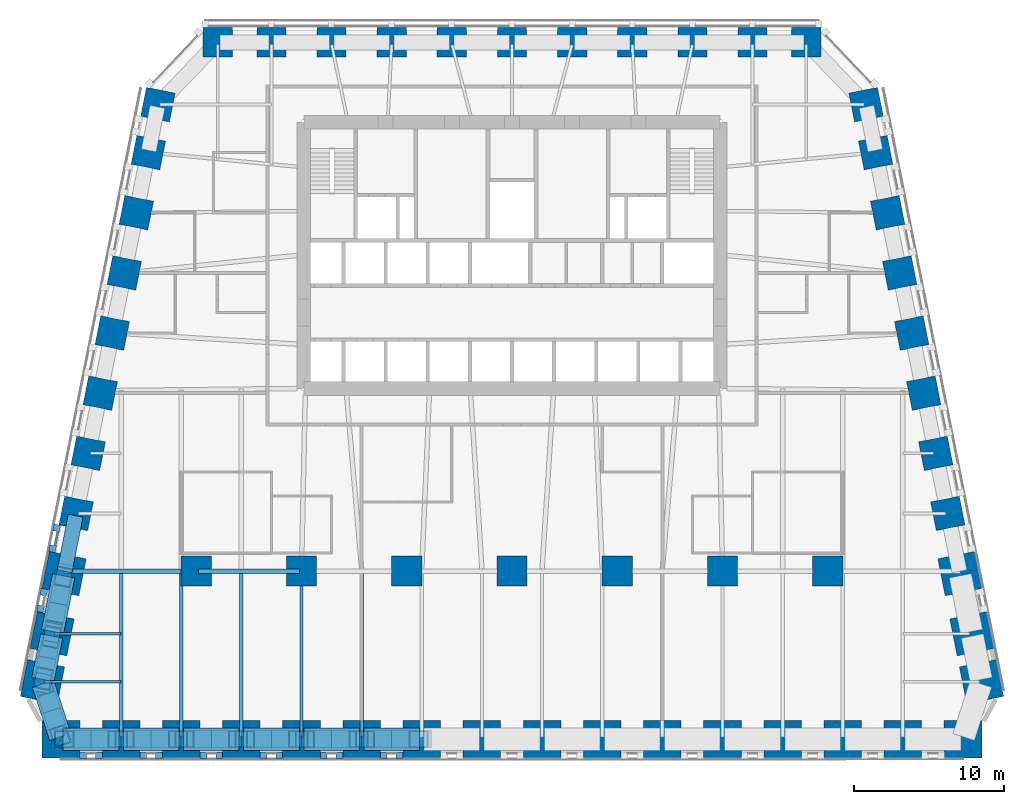
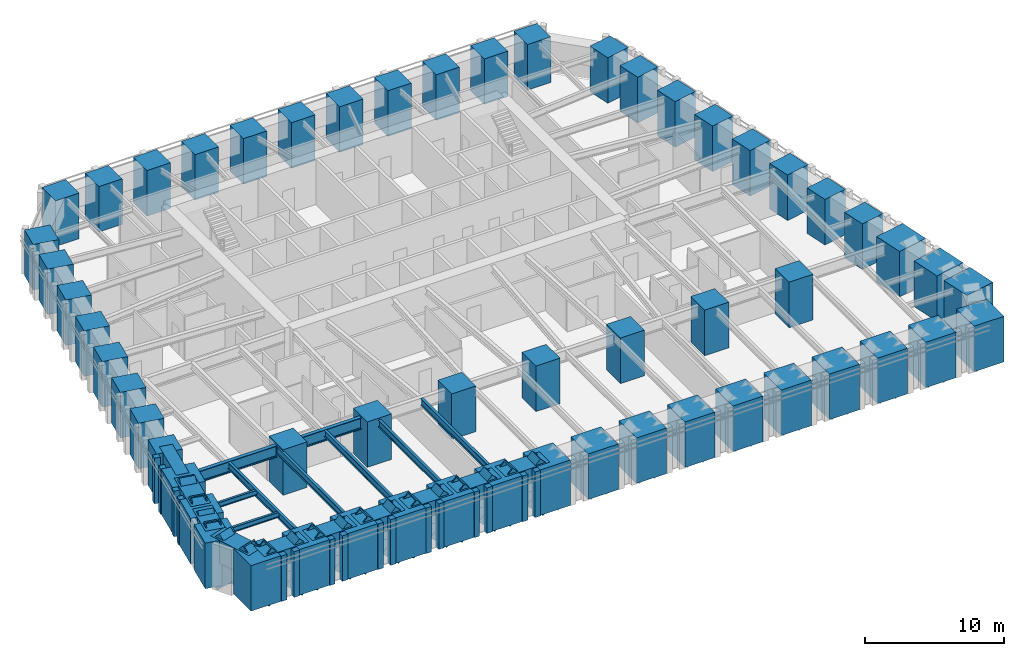
# One storey, part 1 of 16: 56 columns, 35 members, 19 beams, 8 elements without a shape of their own.
"""IFC4 building model written with IfcOpenShell, lengths in metres."""

from ifc_helpers import new_model, si_unit, direction, frame, origin, origin_2d, place, context, subcontext, project, spatial, rectangle, hollow_rectangle, i_section, extrude, material, material_profile, profile_set, type_object, element, aggregate, save


model = new_model("IFC4")

# Units and contexts
model_context = context("Model", 3, precision=1e-05, world=origin(), true_north=direction((0.0, 1.0)))
body_context = subcontext(model_context, "Body", "Model", "MODEL_VIEW")
ifc_project = project(units=[si_unit("LENGTHUNIT", "METRE"), si_unit("AREAUNIT", "SQUARE_METRE"), si_unit("VOLUMEUNIT", "CUBIC_METRE"), si_unit("PLANEANGLEUNIT", "RADIAN"), si_unit("MASSUNIT", "GRAM", prefix="KILO")], contexts=[model_context])

# Site, building, storey
site_placement = place(None, origin())
site = spatial("IfcSite", under=ifc_project, at=site_placement, CompositionType="ELEMENT")
building_placement = place(site_placement, origin())
building = spatial("IfcBuilding", under=site, at=building_placement, Name="Isbrekke Arena Tower", CompositionType="ELEMENT")
storey_placement = place(building_placement, frame((0.0, 0.0, 40.0)))
storey = spatial("IfcBuildingStorey", under=building, at=storey_placement, Name="L07", CompositionType="ELEMENT", Elevation=40.0)

# Columns
ifc_material_1 = material(Name="Concrete B90 (C90/105)", Category="concrete")
ifc_material_profile_1 = material_profile(ifc_material_1, rectangle(XDim=2.0, YDim=2.0, at=origin_2d()), Name="RC 2000x2000")
ifc_profile_set_1 = profile_set([ifc_material_profile_1], Name="Concrete B90 (C90/105)")
column_type_1 = type_object("IfcColumnType", Name="C11 RC 2000 x 2000", PredefinedType="COLUMN", material=ifc_profile_set_1)
for number, where, z_axis, x_axis, name in (
    (1, (-21.0, -6.0, 0.0), (0.0, 0.0, 1.0), (1.0, 0.0, 0.0), "C11 I01"),
    (2, (-14.0, -6.0, 0.0), (0.0, 0.0, 1.0), (1.0, 0.0, 0.0), "C11 I02"),
    (3, (-7.0, -6.0, 0.0), (0.0, 0.0, 1.0), (1.0, 0.0, 0.0), "C11 I03"),
    (4, (0.0, -6.0, 0.0), (0.0, 0.0, 1.0), (1.0, 0.0, 0.0), "C11 I04"),
    (5, (7.0, -6.0, 0.0), (0.0, 0.0, 1.0), (1.0, 0.0, 0.0), "C11 I05"),
    (6, (14.0, -6.0, 0.0), (0.0, 0.0, 1.0), (1.0, 0.0, 0.0), "C11 I06"),
    (7, (21.0, -6.0, 0.0), (0.0, 0.0, 1.0), (1.0, 0.0, 0.0), "C11 I07"),
):
    element("IfcColumn", number, at=place(storey_placement, frame(where, z_axis=z_axis, x_axis=x_axis)), inside=storey, type_object=column_type_1, Name=name, PredefinedType="COLUMN", context=body_context, shape_type="SweptSolid", body=[
        extrude(rectangle(XDim=2.0, YDim=2.0, at=origin_2d()), origin(), (0.0, 0.0, 1.0), 4.0),
    ])
ifc_material_2 = material(Name="Concrete B90 (C90/105)", Category="concrete")
ifc_material_profile_2 = material_profile(ifc_material_2, rectangle(XDim=1.949951171875, YDim=1.949951171875, at=origin_2d()), Name="RC 1950x1950")
ifc_profile_set_2 = profile_set([ifc_material_profile_2], Name="Concrete B90 (C90/105)")
column_type_2 = type_object("IfcColumnType", Name="C2 RC 1950 x 1950", PredefinedType="COLUMN", material=ifc_profile_set_2)
for number, where, z_axis, x_axis, name in (
    (8, (28.990966796875, -2.161865234375, 0.0), (0.0, 0.0, 1.0), (-0.196116135138, 0.980580675691, 0.0), "C2 E04"),
    (9, (28.19091796875, 1.838134765625, 0.0), (0.0, 0.0, 1.0), (-0.196116135138, 0.980580675691, 0.0), "C2 E05"),
    (10, (27.39111328125, 5.838134765625, 0.0), (0.0, 0.0, 1.0), (-0.196116135138, 0.980580675691, 0.0), "C2 E06"),
    (11, (26.591064453125, 9.838134765625, 0.0), (0.0, 0.0, 1.0), (-0.196116135138, 0.980580675691, 0.0), "C2 E07"),
    (12, (25.791015625, 13.838134765625, 0.0), (0.0, 0.0, 1.0), (-0.196116135138, 0.980580675691, 0.0), "C2 E08"),
    (13, (24.990966796875, 17.838134765625, 0.0), (0.0, 0.0, 1.0), (-0.196116135138, 0.980580675691, 0.0), "C2 E09"),
    (14, (24.19091796875, 21.838134765625, 0.0), (0.0, 0.0, 1.0), (-0.196116135138, 0.980580675691, 0.0), "C2 E10"),
    (15, (23.552734375, 25.029296875, 0.0), (0.0, 0.0, 1.0), (-0.196116135138, 0.980580675691, 0.0), "C2 E11"),
    (16, (19.574951171875, 29.175048828125, 0.0), (0.0, 0.0, 1.0), (-1.0, 0.0, 0.0), "C2 N01"),
    (17, (16.0, 29.175048828125, 0.0), (0.0, 0.0, 1.0), (-1.0, 0.0, 0.0), "C2 N02"),
    (18, (12.0, 29.175048828125, 0.0), (0.0, 0.0, 1.0), (-1.0, 0.0, 0.0), "C2 N03"),
    (19, (8.0, 29.175048828125, 0.0), (0.0, 0.0, 1.0), (-1.0, 0.0, 0.0), "C2 N04"),
    (20, (4.0, 29.175048828125, 0.0), (0.0, 0.0, 1.0), (-1.0, 0.0, 0.0), "C2 N05"),
    (21, (0.0, 29.175048828125, 0.0), (0.0, 0.0, 1.0), (-1.0, 0.0, 0.0), "C2 N06"),
    (22, (-4.0, 29.175048828125, 0.0), (0.0, 0.0, 1.0), (-1.0, 0.0, 0.0), "C2 N07"),
    (23, (-8.0, 29.175048828125, 0.0), (0.0, 0.0, 1.0), (-1.0, 0.0, 0.0), "C2 N08"),
    (24, (-12.0, 29.175048828125, 0.0), (0.0, 0.0, 1.0), (-1.0, 0.0, 0.0), "C2 N09"),
    (25, (-16.0, 29.175048828125, 0.0), (0.0, 0.0, 1.0), (-1.0, 0.0, 0.0), "C2 N10"),
    (26, (-19.574951171875, 29.175048828125, 0.0), (0.0, 0.0, 1.0), (-1.0, 0.0, 0.0), "C2 N11"),
    (27, (-23.552734375, 25.029296875, 0.0), (0.0, 0.0, 1.0), (-0.196116135138, -0.980580675691, 0.0), "C2 W01"),
    (28, (-24.19091796875, 21.838134765625, 0.0), (0.0, 0.0, 1.0), (-0.196116135138, -0.980580675691, 0.0), "C2 W02"),
    (29, (-24.990966796875, 17.838134765625, 0.0), (0.0, 0.0, 1.0), (-0.196116135138, -0.980580675691, 0.0), "C2 W03"),
    (30, (-25.791015625, 13.838134765625, 0.0), (0.0, 0.0, 1.0), (-0.196116135138, -0.980580675691, 0.0), "C2 W04"),
    (31, (-26.591064453125, 9.838134765625, 0.0), (0.0, 0.0, 1.0), (-0.196116135138, -0.980580675691, 0.0), "C2 W05"),
    (32, (-27.39111328125, 5.838134765625, 0.0), (0.0, 0.0, 1.0), (-0.196116135138, -0.980580675691, 0.0), "C2 W06"),
    (33, (-28.19091796875, 1.838134765625, 0.0), (0.0, 0.0, 1.0), (-0.196116135138, -0.980580675691, 0.0), "C2 W07"),
    (34, (-28.990966796875, -2.161865234375, 0.0), (0.0, 0.0, 1.0), (-0.196116135138, -0.980580675691, 0.0), "C2 W08"),
):
    element("IfcColumn", number, at=place(storey_placement, frame(where, z_axis=z_axis, x_axis=x_axis)), inside=storey, type_object=column_type_2, Name=name, PredefinedType="COLUMN", context=body_context, shape_type="SweptSolid", body=[
        extrude(rectangle(XDim=1.949951171875, YDim=1.949951171875, at=origin_2d()), origin(), (0.0, 0.0, 1.0), 4.0),
    ])
ifc_material_3 = material(Name="Concrete B90 (C90/105)", Category="concrete")
ifc_material_profile_3 = material_profile(ifc_material_3, rectangle(XDim=2.5, YDim=2.5, at=origin_2d()), Name="RC 2500x2500")
ifc_profile_set_3 = profile_set([ifc_material_profile_3], Name="Concrete B90 (C90/105)")
column_type_3 = type_object("IfcColumnType", Name="C20 RC 2500 x 2500", PredefinedType="COLUMN", material=ifc_profile_set_3)
for number, where, z_axis, x_axis, name in (
    (35, (-30.0, -17.175048828125, 0.0), (0.0, 0.0, 1.0), (1.0, 0.0, 0.0), "C20 S01"),
    (36, (-26.0, -17.175048828125, 0.0), (0.0, 0.0, 1.0), (1.0, 0.0, 0.0), "C20 S02"),
    (37, (-22.0, -17.175048828125, 0.0), (0.0, 0.0, 1.0), (1.0, 0.0, 0.0), "C20 S03"),
    (38, (-18.0, -17.175048828125, 0.0), (0.0, 0.0, 1.0), (1.0, 0.0, 0.0), "C20 S04"),
    (39, (-14.0, -17.175048828125, 0.0), (0.0, 0.0, 1.0), (1.0, 0.0, 0.0), "C20 S05"),
    (40, (-10.0, -17.175048828125, 0.0), (0.0, 0.0, 1.0), (1.0, 0.0, 0.0), "C20 S06"),
    (41, (-6.0, -17.175048828125, 0.0), (0.0, 0.0, 1.0), (1.0, 0.0, 0.0), "C20 S07"),
    (42, (-2.0, -17.175048828125, 0.0), (0.0, 0.0, 1.0), (1.0, 0.0, 0.0), "C20 S08"),
    (43, (2.0, -17.175048828125, 0.0), (0.0, 0.0, 1.0), (1.0, 0.0, 0.0), "C20 S09"),
    (44, (6.0, -17.175048828125, 0.0), (0.0, 0.0, 1.0), (1.0, 0.0, 0.0), "C20 S10"),
    (45, (10.0, -17.175048828125, 0.0), (0.0, 0.0, 1.0), (1.0, 0.0, 0.0), "C20 S11"),
    (46, (14.0, -17.175048828125, 0.0), (0.0, 0.0, 1.0), (1.0, 0.0, 0.0), "C20 S12"),
    (47, (18.0, -17.175048828125, 0.0), (0.0, 0.0, 1.0), (1.0, 0.0, 0.0), "C20 S13"),
    (48, (22.0, -17.175048828125, 0.0), (0.0, 0.0, 1.0), (1.0, 0.0, 0.0), "C20 S14"),
    (49, (26.0, -17.175048828125, 0.0), (0.0, 0.0, 1.0), (1.0, 0.0, 0.0), "C20 S15"),
    (50, (30.0, -17.175048828125, 0.0), (0.0, 0.0, 1.0), (1.0, 0.0, 0.0), "C20 S16"),
    (51, (31.229248046875, -13.352783203125, 0.0), (0.0, 0.0, 1.0), (-0.196116135138, 0.980580675691, 0.0), "C20 E01"),
    (52, (30.591064453125, -10.161865234375, 0.0), (0.0, 0.0, 1.0), (-0.196116135138, 0.980580675691, 0.0), "C20 E02"),
    (53, (29.791015625, -6.161865234375, 0.0), (0.0, 0.0, 1.0), (-0.196116135138, 0.980580675691, 0.0), "C20 E03"),
    (54, (-29.791015625, -6.161865234375, 0.0), (0.0, 0.0, 1.0), (-0.196116135138, -0.980580675691, 0.0), "C20 W09"),
    (55, (-30.591064453125, -10.161865234375, 0.0), (0.0, 0.0, 1.0), (-0.196116135138, -0.980580675691, 0.0), "C20 W10"),
    (56, (-31.229248046875, -13.352783203125, 0.0), (0.0, 0.0, 1.0), (-0.196116135138, -0.980580675691, 0.0), "C20 W11"),
):
    element("IfcColumn", number, at=place(storey_placement, frame(where, z_axis=z_axis, x_axis=x_axis)), inside=storey, type_object=column_type_3, Name=name, PredefinedType="COLUMN", context=body_context, shape_type="SweptSolid", body=[
        extrude(rectangle(XDim=2.5, YDim=2.5, at=origin_2d()), origin(), (0.0, 0.0, 1.0), 4.0),
    ])

# Beams
ifc_material_4 = material(Name="Steel S355", Category="steel")
ifc_material_profile_4 = material_profile(ifc_material_4, i_section(OverallWidth=0.219970703125, OverallDepth=0.60009765625, WebThickness=0.011962890625, FlangeThickness=0.01904296875, FilletRadius=0.02392578125, at=origin_2d()), Name="IPE 600")
ifc_profile_set_4 = profile_set([ifc_material_profile_4], Name="Steel S355")
beam_type_1 = type_object("IfcBeamType", Name="B1 IPE 600", PredefinedType="BEAM", material=ifc_profile_set_4)
for number, where, z_axis, x_axis, name in (
    (57, (-26.0, -17.02490234375, 3.550048828125), (0.0, 1.0, 0.0), (-1.0, 0.0, 0.0), "B1 beam S-S02 L07"),
    (58, (-22.0, -17.02490234375, 3.550048828125), (0.0, 1.0, 0.0), (-1.0, 0.0, 0.0), "B1 beam S-S03 L07"),
    (59, (-18.0, -17.02490234375, 3.550048828125), (0.0, 1.0, 0.0), (-1.0, 0.0, 0.0), "B1 beam S-S04 L07"),
):
    element("IfcBeam", number, at=place(storey_placement, frame(where, z_axis=z_axis, x_axis=x_axis)), inside=storey, type_object=beam_type_1, Name=name, PredefinedType="BEAM", context=body_context, shape_type="SweptSolid", body=[
        extrude(i_section(OverallWidth=0.219970703125, OverallDepth=0.60009765625, WebThickness=0.011962890625, FlangeThickness=0.01904296875, FilletRadius=0.02392578125, at=origin_2d()), origin(), (0.0, 0.0, 1.0), 10.8740234375),
    ])
beam_1_placement = place(storey_placement, frame((-14.0, -17.02490234375, 3.550048828125), z_axis=(0.0, 1.0, 0.0), x_axis=(-1.0, 0.0, 0.0)))
element("IfcBeam", 60, at=beam_1_placement, inside=storey, type_object=beam_type_1, Name="B1 beam S-S05 L07", PredefinedType="BEAM", context=body_context, shape_type="SweptSolid", body=[
    extrude(i_section(OverallWidth=0.219970703125, OverallDepth=0.60009765625, WebThickness=0.011962890625, FlangeThickness=0.01904296875, FilletRadius=0.02392578125, at=origin_2d()), origin(), (0.0, 0.0, 1.0), 10.875),
])
beam_2_placement = place(storey_placement, frame((-10.0, -17.02490234375, 3.550048828125), z_axis=(0.0, 1.0, 0.0), x_axis=(-1.0, 0.0, 0.0)))
element("IfcBeam", 61, at=beam_2_placement, inside=storey, type_object=beam_type_1, Name="B1 beam S-S06 L07", PredefinedType="BEAM", context=body_context, shape_type="SweptSolid", body=[
    extrude(i_section(OverallWidth=0.219970703125, OverallDepth=0.60009765625, WebThickness=0.011962890625, FlangeThickness=0.01904296875, FilletRadius=0.02392578125, at=origin_2d()), origin(), (0.0, 0.0, 1.0), 10.8740234375),
])
ifc_material_5 = material(Name="Steel S355", Category="steel")
ifc_material_profile_5 = material_profile(ifc_material_5, i_section(OverallWidth=0.18994140625, OverallDepth=0.449951171875, WebThickness=0.009521484375, FlangeThickness=0.0146484375, FilletRadius=0.02099609375, at=origin_2d()), Name="IPE 450")
ifc_profile_set_5 = profile_set([ifc_material_profile_5], Name="Steel S355")
beam_type_2 = type_object("IfcBeamType", Name="B2 IPE 450", PredefinedType="BEAM", material=ifc_profile_set_5)
beam_3_placement = place(storey_placement, frame((-30.44091796875, -10.161865234375, 3.625), z_axis=(1.0, 0.0, 0.0), x_axis=(0.0, 1.0, 0.0)))
element("IfcBeam", 62, at=beam_3_placement, inside=storey, type_object=beam_type_2, Name="B2 beam E-W10 L07", PredefinedType="BEAM", context=body_context, shape_type="SweptSolid", body=[
    extrude(i_section(OverallWidth=0.18994140625, OverallDepth=0.449951171875, WebThickness=0.009521484375, FlangeThickness=0.0146484375, FilletRadius=0.02099609375, at=origin_2d()), origin(), (0.0, 0.0, 1.0), 4.44091796875),
])
beam_4_placement = place(storey_placement, frame((-31.079345703125, -13.352783203125, 3.625), z_axis=(1.0, 0.0, 0.0), x_axis=(0.0, 1.0, 0.0)))
element("IfcBeam", 63, at=beam_4_placement, inside=storey, type_object=beam_type_2, Name="B2 beam E-W11 L07", PredefinedType="BEAM", context=body_context, shape_type="SweptSolid", body=[
    extrude(i_section(OverallWidth=0.18994140625, OverallDepth=0.449951171875, WebThickness=0.009521484375, FlangeThickness=0.0146484375, FilletRadius=0.02099609375, at=origin_2d()), origin(), (0.0, 0.0, 1.0), 5.079345703125),
])

# Curtain wall, members
ifc_material_6 = material(Name="Glazed aluminium curtain wall", Category="aluminium")
curtain_wall_type = type_object("IfcCurtainWallType", Name="CWL TOWER CURTAIN WALL LOW ZONE", PredefinedType="USERDEFINED", material=ifc_material_6)
curtain_wall_1_placement = place(storey_placement, origin())
curtain_wall_1 = element("IfcCurtainWall", 64, at=curtain_wall_1_placement, inside=storey, type_object=curtain_wall_type, Name="CWL curtain wall L07-S", ObjectType="TOWER CURTAIN WALL LOW ZONE", PredefinedType="USERDEFINED")
ifc_material_7 = material(Name="Aluminium mullion, pale brick slip cladding", Category="masonry")
ifc_material_profile_6 = material_profile(ifc_material_7, rectangle(XDim=0.449951171875, YDim=0.449951171875, at=origin_2d()), Name="PIER 450X450")
ifc_profile_set_6 = profile_set([ifc_material_profile_6], Name="Aluminium mullion, pale brick slip cladding")
member_type_1 = type_object("IfcMemberType", Name="CWL-M PIER MULLION 450 x 450", PredefinedType="MULLION", material=ifc_profile_set_6)
member_1_placement = place(storey_placement, frame((-28.527099609375, -18.25, 0.0), z_axis=(0.0, 0.0, 1.0), x_axis=(1.0, 0.0, 0.0)))
member_1 = element("IfcMember", 65, at=member_1_placement, type_object=member_type_1, Name="CWL-M mullion 1", PredefinedType="MULLION", context=body_context, shape_type="SweptSolid", body=[
    extrude(rectangle(XDim=0.449951171875, YDim=0.449951171875, at=origin_2d()), origin(), (0.0, 0.0, 1.0), 4.0),
])
member_2_placement = place(storey_placement, frame((-27.47509765625, -18.25, 0.0), z_axis=(0.0, 0.0, 1.0), x_axis=(1.0, 0.0, 0.0)))
member_2 = element("IfcMember", 66, at=member_2_placement, type_object=member_type_1, Name="CWL-M mullion 2", PredefinedType="MULLION", context=body_context, shape_type="SweptSolid", body=[
    extrude(rectangle(XDim=0.449951171875, YDim=0.449951171875, at=origin_2d()), origin(), (0.0, 0.0, 1.0), 4.0),
])
aggregate(curtain_wall_1, [member_1, member_2])

curtain_wall_2_placement = place(storey_placement, origin())
curtain_wall_2 = element("IfcCurtainWall", 67, at=curtain_wall_2_placement, inside=storey, type_object=curtain_wall_type, Name="CWL curtain wall L07-S3", ObjectType="TOWER CURTAIN WALL LOW ZONE", PredefinedType="USERDEFINED")
member_3_placement = place(storey_placement, frame((-24.52490234375, -18.25, 0.0), z_axis=(0.0, 0.0, 1.0), x_axis=(1.0, 0.0, 0.0)))
member_3 = element("IfcMember", 68, at=member_3_placement, type_object=member_type_1, Name="CWL-M mullion 1", PredefinedType="MULLION", context=body_context, shape_type="SweptSolid", body=[
    extrude(rectangle(XDim=0.449951171875, YDim=0.449951171875, at=origin_2d()), origin(), (0.0, 0.0, 1.0), 4.0),
])
member_4_placement = place(storey_placement, frame((-23.47509765625, -18.25, 0.0), z_axis=(0.0, 0.0, 1.0), x_axis=(1.0, 0.0, 0.0)))
member_4 = element("IfcMember", 69, at=member_4_placement, type_object=member_type_1, Name="CWL-M mullion 2", PredefinedType="MULLION", context=body_context, shape_type="SweptSolid", body=[
    extrude(rectangle(XDim=0.449951171875, YDim=0.449951171875, at=origin_2d()), origin(), (0.0, 0.0, 1.0), 4.0),
])
aggregate(curtain_wall_2, [member_3, member_4])

curtain_wall_3_placement = place(storey_placement, origin())
curtain_wall_3 = element("IfcCurtainWall", 70, at=curtain_wall_3_placement, inside=storey, type_object=curtain_wall_type, Name="CWL curtain wall L07-S5", ObjectType="TOWER CURTAIN WALL LOW ZONE", PredefinedType="USERDEFINED")
member_5_placement = place(storey_placement, frame((-20.52490234375, -18.25, 0.0), z_axis=(0.0, 0.0, 1.0), x_axis=(1.0, 0.0, 0.0)))
member_5 = element("IfcMember", 71, at=member_5_placement, type_object=member_type_1, Name="CWL-M mullion 1", PredefinedType="MULLION", context=body_context, shape_type="SweptSolid", body=[
    extrude(rectangle(XDim=0.449951171875, YDim=0.449951171875, at=origin_2d()), origin(), (0.0, 0.0, 1.0), 4.0),
])
member_6_placement = place(storey_placement, frame((-19.47509765625, -18.25, 0.0), z_axis=(0.0, 0.0, 1.0), x_axis=(1.0, 0.0, 0.0)))
member_6 = element("IfcMember", 72, at=member_6_placement, type_object=member_type_1, Name="CWL-M mullion 2", PredefinedType="MULLION", context=body_context, shape_type="SweptSolid", body=[
    extrude(rectangle(XDim=0.449951171875, YDim=0.449951171875, at=origin_2d()), origin(), (0.0, 0.0, 1.0), 4.0),
])
aggregate(curtain_wall_3, [member_5, member_6])

curtain_wall_4_placement = place(storey_placement, origin())
curtain_wall_4 = element("IfcCurtainWall", 73, at=curtain_wall_4_placement, inside=storey, type_object=curtain_wall_type, Name="CWL curtain wall L07-S7", ObjectType="TOWER CURTAIN WALL LOW ZONE", PredefinedType="USERDEFINED")
member_7_placement = place(storey_placement, frame((-16.52490234375, -18.25, 0.0), z_axis=(0.0, 0.0, 1.0), x_axis=(1.0, 0.0, 0.0)))
member_7 = element("IfcMember", 74, at=member_7_placement, type_object=member_type_1, Name="CWL-M mullion 1", PredefinedType="MULLION", context=body_context, shape_type="SweptSolid", body=[
    extrude(rectangle(XDim=0.449951171875, YDim=0.449951171875, at=origin_2d()), origin(), (0.0, 0.0, 1.0), 4.0),
])
member_8_placement = place(storey_placement, frame((-15.47509765625, -18.25, 0.0), z_axis=(0.0, 0.0, 1.0), x_axis=(1.0, 0.0, 0.0)))
member_8 = element("IfcMember", 75, at=member_8_placement, type_object=member_type_1, Name="CWL-M mullion 2", PredefinedType="MULLION", context=body_context, shape_type="SweptSolid", body=[
    extrude(rectangle(XDim=0.449951171875, YDim=0.449951171875, at=origin_2d()), origin(), (0.0, 0.0, 1.0), 4.0),
])
aggregate(curtain_wall_4, [member_7, member_8])

curtain_wall_5_placement = place(storey_placement, origin())
curtain_wall_5 = element("IfcCurtainWall", 76, at=curtain_wall_5_placement, inside=storey, type_object=curtain_wall_type, Name="CWL curtain wall L07-S9", ObjectType="TOWER CURTAIN WALL LOW ZONE", PredefinedType="USERDEFINED")
member_9_placement = place(storey_placement, frame((-12.52490234375, -18.25, 0.0), z_axis=(0.0, 0.0, 1.0), x_axis=(1.0, 0.0, 0.0)))
member_9 = element("IfcMember", 77, at=member_9_placement, type_object=member_type_1, Name="CWL-M mullion 1", PredefinedType="MULLION", context=body_context, shape_type="SweptSolid", body=[
    extrude(rectangle(XDim=0.449951171875, YDim=0.449951171875, at=origin_2d()), origin(), (0.0, 0.0, 1.0), 4.0),
])
member_10_placement = place(storey_placement, frame((-11.47509765625, -18.25, 0.0), z_axis=(0.0, 0.0, 1.0), x_axis=(1.0, 0.0, 0.0)))
member_10 = element("IfcMember", 78, at=member_10_placement, type_object=member_type_1, Name="CWL-M mullion 2", PredefinedType="MULLION", context=body_context, shape_type="SweptSolid", body=[
    extrude(rectangle(XDim=0.449951171875, YDim=0.449951171875, at=origin_2d()), origin(), (0.0, 0.0, 1.0), 4.0),
])
aggregate(curtain_wall_5, [member_9, member_10])

curtain_wall_6_placement = place(storey_placement, origin())
curtain_wall_6 = element("IfcCurtainWall", 79, at=curtain_wall_6_placement, inside=storey, type_object=curtain_wall_type, Name="CWL curtain wall L07-S11", ObjectType="TOWER CURTAIN WALL LOW ZONE", PredefinedType="USERDEFINED")
member_11_placement = place(storey_placement, frame((-8.52490234375, -18.25, 0.0), z_axis=(0.0, 0.0, 1.0), x_axis=(1.0, 0.0, 0.0)))
member_11 = element("IfcMember", 80, at=member_11_placement, type_object=member_type_1, Name="CWL-M mullion 1", PredefinedType="MULLION", context=body_context, shape_type="SweptSolid", body=[
    extrude(rectangle(XDim=0.449951171875, YDim=0.449951171875, at=origin_2d()), origin(), (0.0, 0.0, 1.0), 4.0),
])
member_12_placement = place(storey_placement, frame((-7.47509765625, -18.25, 0.0), z_axis=(0.0, 0.0, 1.0), x_axis=(1.0, 0.0, 0.0)))
member_12 = element("IfcMember", 81, at=member_12_placement, type_object=member_type_1, Name="CWL-M mullion 2", PredefinedType="MULLION", context=body_context, shape_type="SweptSolid", body=[
    extrude(rectangle(XDim=0.449951171875, YDim=0.449951171875, at=origin_2d()), origin(), (0.0, 0.0, 1.0), 4.0),
])
aggregate(curtain_wall_6, [member_11, member_12])

curtain_wall_7_placement = place(storey_placement, origin())
curtain_wall_7 = element("IfcCurtainWall", 82, at=curtain_wall_7_placement, inside=storey, type_object=curtain_wall_type, Name="CWL curtain wall L07-W15", ObjectType="TOWER CURTAIN WALL LOW ZONE", PredefinedType="USERDEFINED")
member_13_placement = place(storey_placement, frame((-30.280517578125, -3.127685546875, 0.0), z_axis=(0.0, 0.0, 1.0), x_axis=(-0.196116135138, -0.980580675691, 0.0)))
member_13 = element("IfcMember", 83, at=member_13_placement, type_object=member_type_1, Name="CWL-M mullion 1", PredefinedType="MULLION", context=body_context, shape_type="SweptSolid", body=[
    extrude(rectangle(XDim=0.449951171875, YDim=0.449951171875, at=origin_2d()), origin(), (0.0, 0.0, 1.0), 4.0),
])
member_14_placement = place(storey_placement, frame((-30.555908203125, -4.504638671875, 0.0), z_axis=(0.0, 0.0, 1.0), x_axis=(-0.196116135138, -0.980580675691, 0.0)))
member_14 = element("IfcMember", 84, at=member_14_placement, type_object=member_type_1, Name="CWL-M mullion 2", PredefinedType="MULLION", context=body_context, shape_type="SweptSolid", body=[
    extrude(rectangle(XDim=0.449951171875, YDim=0.449951171875, at=origin_2d()), origin(), (0.0, 0.0, 1.0), 4.0),
])

curtain_wall_8_placement = place(storey_placement, origin())
curtain_wall_8 = element("IfcCurtainWall", 85, at=curtain_wall_8_placement, inside=storey, type_object=curtain_wall_type, Name="CWL curtain wall L07-W17", ObjectType="TOWER CURTAIN WALL LOW ZONE", PredefinedType="USERDEFINED")
member_15_placement = place(storey_placement, frame((-31.134521484375, -7.397216796875, 0.0), z_axis=(0.0, 0.0, 1.0), x_axis=(-0.196116135138, -0.980580675691, 0.0)))
member_15 = element("IfcMember", 86, at=member_15_placement, type_object=member_type_1, Name="CWL-M mullion 1", PredefinedType="MULLION", context=body_context, shape_type="SweptSolid", body=[
    extrude(rectangle(XDim=0.449951171875, YDim=0.449951171875, at=origin_2d()), origin(), (0.0, 0.0, 1.0), 4.0),
])
member_16_placement = place(storey_placement, frame((-31.35595703125, -8.504638671875, 0.0), z_axis=(0.0, 0.0, 1.0), x_axis=(-0.196116135138, -0.980580675691, 0.0)))
member_16 = element("IfcMember", 87, at=member_16_placement, type_object=member_type_1, Name="CWL-M mullion 2", PredefinedType="MULLION", context=body_context, shape_type="SweptSolid", body=[
    extrude(rectangle(XDim=0.449951171875, YDim=0.449951171875, at=origin_2d()), origin(), (0.0, 0.0, 1.0), 4.0),
])
aggregate(curtain_wall_8, [member_15, member_16])

# Member
ifc_material_8 = material(Name="Aluminium transom", Category="aluminium")
ifc_material_profile_7 = material_profile(ifc_material_8, rectangle(XDim=0.1201171875, YDim=0.199951171875, at=origin_2d()), Name="TRANSOM 120X200")
ifc_profile_set_7 = profile_set([ifc_material_profile_7], Name="Aluminium transom")
member_type_2 = type_object("IfcMemberType", Name="CWL-T TRANSOM 120 x 200", PredefinedType="USERDEFINED", material=ifc_profile_set_7)
member_17_placement = place(storey_placement, frame((-30.2021484375, -3.372802734375, 3.0), z_axis=(-0.19596853661, -0.980610183844, 0.0), x_axis=(0.980610183844, -0.19596853661, 0.0)))
member_17 = element("IfcMember", 88, at=member_17_placement, type_object=member_type_2, Name="CWL-T transom 1", ObjectType="TRANSOM", PredefinedType="USERDEFINED", context=body_context, shape_type="SweptSolid", body=[
    extrude(rectangle(XDim=0.1201171875, YDim=0.199951171875, at=origin_2d()), origin(), (0.0, 0.0, 1.0), 0.954345703125),
])

aggregate(curtain_wall_7, [member_13, member_14, member_17])

# Beams
ifc_material_9 = material(Name="Steel S355", Category="steel")
ifc_material_profile_8 = material_profile(ifc_material_9, i_section(OverallWidth=0.302001953125, OverallDepth=1.008056640625, WebThickness=0.02099609375, FlangeThickness=0.0400390625, FilletRadius=0.030029296875, at=origin_2d()), Name="HEM 1000")
ifc_profile_set_8 = profile_set([ifc_material_profile_8], Name="Steel S355")
beam_type_3 = type_object("IfcBeamType", Name="G1 HEM 1000", PredefinedType="BEAM", material=ifc_profile_set_8)
beam_5_placement = place(storey_placement, frame((-29.791015625, -6.0, 3.345947265625), z_axis=(1.0, 0.0, 0.0), x_axis=(0.0, 1.0, 0.0)))
element("IfcBeam", 89, at=beam_5_placement, inside=storey, type_object=beam_type_3, Name="G1 beam G1-01 L07", PredefinedType="BEAM", context=body_context, shape_type="SweptSolid", body=[
    extrude(i_section(OverallWidth=0.302001953125, OverallDepth=1.008056640625, WebThickness=0.02099609375, FlangeThickness=0.0400390625, FilletRadius=0.030029296875, at=origin_2d()), origin(), (0.0, 0.0, 1.0), 8.64111328125),
])
beam_6_placement = place(storey_placement, frame((-20.85009765625, -6.0, 3.345947265625), z_axis=(1.0, 0.0, 0.0), x_axis=(0.0, 1.0, 0.0)))
element("IfcBeam", 90, at=beam_6_placement, inside=storey, type_object=beam_type_3, Name="G1 beam G1-02 L07", PredefinedType="BEAM", context=body_context, shape_type="SweptSolid", body=[
    extrude(i_section(OverallWidth=0.302001953125, OverallDepth=1.008056640625, WebThickness=0.02099609375, FlangeThickness=0.0400390625, FilletRadius=0.030029296875, at=origin_2d()), origin(), (0.0, 0.0, 1.0), 6.7001953125),
])
ifc_material_10 = material(Name="Concrete B90 (C90/105)", Category="concrete")
ifc_material_profile_9 = material_profile(ifc_material_10, rectangle(XDim=1.0, YDim=1.60009765625, at=origin_2d()), Name="RC 1000x1600")
ifc_profile_set_9 = profile_set([ifc_material_profile_9], Name="Concrete B90 (C90/105)")
beam_type_4 = type_object("IfcBeamType", Name="SB1 RC 1000 x 1600", PredefinedType="SPANDREL", material=ifc_profile_set_9)
beam_7_placement = place(storey_placement, frame((-29.0205078125, -2.308837890625, 3.199951171875), z_axis=(-0.196128558387, -0.980578190959, 0.0), x_axis=(0.980578190959, -0.196128558387, 0.0)))
element("IfcBeam", 91, at=beam_7_placement, inside=storey, type_object=beam_type_4, Name="SB1 spandrel W08-W09 L07", PredefinedType="SPANDREL", context=body_context, shape_type="SweptSolid", body=[
    extrude(rectangle(XDim=1.0, YDim=1.60009765625, at=origin_2d()), origin(), (0.0, 0.0, 1.0), 3.779296875),
])
ifc_material_11 = material(Name="Concrete B90 (C90/105)", Category="concrete")
ifc_material_profile_10 = material_profile(ifc_material_11, rectangle(XDim=1.5, YDim=2.0, at=origin_2d()), Name="RC 1500x2000")
ifc_profile_set_10 = profile_set([ifc_material_profile_10], Name="Concrete B90 (C90/105)")
beam_type_5 = type_object("IfcBeamType", Name="SB6 RC 1500 x 2000", PredefinedType="SPANDREL", material=ifc_profile_set_10)
for number, where, z_axis, x_axis, name in (
    (92, (-29.85009765625, -17.175048828125, 3.0), (1.0, 0.0, 0.0), (0.0, 1.0, 0.0), "SB6 spandrel S01-S02 L07"),
    (93, (-25.85009765625, -17.175048828125, 3.0), (1.0, 0.0, 0.0), (0.0, 1.0, 0.0), "SB6 spandrel S02-S03 L07"),
    (94, (-21.85009765625, -17.175048828125, 3.0), (1.0, 0.0, 0.0), (0.0, 1.0, 0.0), "SB6 spandrel S03-S04 L07"),
    (95, (-17.85009765625, -17.175048828125, 3.0), (1.0, 0.0, 0.0), (0.0, 1.0, 0.0), "SB6 spandrel S04-S05 L07"),
    (96, (-13.85009765625, -17.175048828125, 3.0), (1.0, 0.0, 0.0), (0.0, 1.0, 0.0), "SB6 spandrel S05-S06 L07"),
    (97, (-9.85009765625, -17.175048828125, 3.0), (1.0, 0.0, 0.0), (0.0, 1.0, 0.0), "SB6 spandrel S06-S07 L07"),
):
    element("IfcBeam", number, at=place(storey_placement, frame(where, z_axis=z_axis, x_axis=x_axis)), inside=storey, type_object=beam_type_5, Name=name, PredefinedType="SPANDREL", context=body_context, shape_type="SweptSolid", body=[
        extrude(rectangle(XDim=1.5, YDim=2.0, at=origin_2d()), origin(), (0.0, 0.0, 1.0), 3.7001953125),
    ])
beam_8_placement = place(storey_placement, frame((-29.820556640625, -6.308837890625, 3.0), z_axis=(-0.1960664412, -0.980590613169, 0.0), x_axis=(0.980590613169, -0.1960664412, 0.0)))
element("IfcBeam", 98, at=beam_8_placement, inside=storey, type_object=beam_type_5, Name="SB6 spandrel W09-W10 L07", PredefinedType="SPANDREL", context=body_context, shape_type="SweptSolid", body=[
    extrude(rectangle(XDim=1.5, YDim=2.0, at=origin_2d()), origin(), (0.0, 0.0, 1.0), 3.779052734375),
])
beam_9_placement = place(storey_placement, frame((-30.620361328125, -10.308837890625, 3.0), z_axis=(-0.196100243168, -0.980583853951, 0.0), x_axis=(0.980583853951, -0.196100243168, 0.0)))
element("IfcBeam", 99, at=beam_9_placement, inside=storey, type_object=beam_type_5, Name="SB6 spandrel W10-W11 L07", PredefinedType="SPANDREL", context=body_context, shape_type="SweptSolid", body=[
    extrude(rectangle(XDim=1.5, YDim=2.0, at=origin_2d()), origin(), (0.0, 0.0, 1.0), 2.954345703125),
])
beam_10_placement = place(storey_placement, frame((-31.183349609375, -13.49560546875, 3.0), z_axis=(0.306175101476, -0.951975213562, 0.0), x_axis=(0.951975213562, 0.306175101476, 0.0)))
element("IfcBeam", 100, at=beam_10_placement, inside=storey, type_object=beam_type_5, Name="SB6 spandrel W11-S01 L07", PredefinedType="SPANDREL", context=body_context, shape_type="SweptSolid", body=[
    extrude(rectangle(XDim=1.5, YDim=2.0, at=origin_2d()), origin(), (0.0, 0.0, 1.0), 3.715087890625),
])

# Members
ifc_material_12 = material(Name="Steel S460", Category="steel")
ifc_material_profile_11 = material_profile(ifc_material_12, hollow_rectangle(XDim=1.199951171875, YDim=1.800048828125, WallThickness=0.090087890625, at=origin_2d()), Name="BOX 1200x1800x90")
ifc_profile_set_11 = profile_set([ifc_material_profile_11], Name="Steel S460")
member_type_3 = type_object("IfcMemberType", Name="TB1 BOX 1200x1800x90", PredefinedType="BRACE", material=ifc_profile_set_11)
for number, where, z_axis, x_axis, name in (
    (101, (-29.791015625, -6.161865234375, 0.0), (-0.140032438362, -0.700117005481, 0.700162191812), (0.980578241477, -0.196128305817, 0.0), "TB1 transfer brace W09-W10 L07 A"),
    (102, (-29.83447265625, -6.37890625, 3.782958984375), (-0.140028008403, -0.700140042014, -0.700140042014), (0.980580675691, -0.196116135138, 0.0), "TB1 transfer brace W09-W10 L07 B"),
):
    element("IfcMember", number, at=place(storey_placement, frame(where, z_axis=z_axis, x_axis=x_axis)), inside=storey, type_object=member_type_3, Name=name, PredefinedType="BRACE", context=body_context, shape_type="SweptSolid", body=[
        extrude(hollow_rectangle(XDim=1.199951171875, YDim=1.800048828125, WallThickness=0.090087890625, at=origin_2d()), origin(), (0.0, 0.0, 1.0), 5.403076171875),
    ])
for number, where, z_axis, x_axis, name in (
    (103, (-30.591064453125, -10.161865234375, 0.0), (-0.123773292261, -0.618815796836, 0.775723650348), (0.980577587758, -0.196131574168, 0.0), "TB1 transfer brace W10-W11 L07 A"),
    (104, (-30.6328125, -10.370849609375, 3.738037109375), (-0.123773292261, -0.618815796836, -0.775723650348), (0.980577587758, -0.196131574168, 0.0), "TB1 transfer brace W10-W11 L07 B"),
):
    element("IfcMember", number, at=place(storey_placement, frame(where, z_axis=z_axis, x_axis=x_axis)), inside=storey, type_object=member_type_3, Name=name, PredefinedType="BRACE", context=body_context, shape_type="SweptSolid", body=[
        extrude(hollow_rectangle(XDim=1.199951171875, YDim=1.800048828125, WallThickness=0.090087890625, at=origin_2d()), origin(), (0.0, 0.0, 1.0), 4.81884765625),
    ])
for number, where, z_axis, x_axis, name in (
    (105, (-31.229248046875, -13.352783203125, 0.0), (0.216888895255, -0.67441597421, 0.705777798493), (0.951982356028, 0.306152892868, 0.0), "TB1 transfer brace W11-S01 L07 A"),
    (106, (-31.16162109375, -13.56298828125, 3.780029296875), (0.216888895255, -0.67441597421, -0.705777798493), (0.951982356028, 0.306152892868, 0.0), "TB1 transfer brace W11-S01 L07 B"),
):
    element("IfcMember", number, at=place(storey_placement, frame(where, z_axis=z_axis, x_axis=x_axis)), inside=storey, type_object=member_type_3, Name=name, PredefinedType="BRACE", context=body_context, shape_type="SweptSolid", body=[
        extrude(hollow_rectangle(XDim=1.199951171875, YDim=1.800048828125, WallThickness=0.090087890625, at=origin_2d()), origin(), (0.0, 0.0, 1.0), 5.355712890625),
    ])
for number, where, z_axis, x_axis, name in (
    (107, (-30.0, -17.175048828125, 0.0), (0.707106781187, 0.0, 0.707106781187), (0.0, 1.0, 0.0), "TB1 transfer brace S01-S02 L07 A"),
    (108, (-29.779296875, -17.175048828125, 3.779296875), (0.707106781187, 0.0, -0.707106781187), (0.0, 1.0, 0.0), "TB1 transfer brace S01-S02 L07 B"),
    (109, (-26.0, -17.175048828125, 0.0), (0.707106781187, 0.0, 0.707106781187), (0.0, 1.0, 0.0), "TB1 transfer brace S02-S03 L07 A"),
    (110, (-25.779296875, -17.175048828125, 3.779296875), (0.707106781187, 0.0, -0.707106781187), (0.0, 1.0, 0.0), "TB1 transfer brace S02-S03 L07 B"),
    (111, (-22.0, -17.175048828125, 0.0), (0.707106781187, 0.0, 0.707106781187), (0.0, 1.0, 0.0), "TB1 transfer brace S03-S04 L07 A"),
    (112, (-21.779296875, -17.175048828125, 3.779296875), (0.707106781187, 0.0, -0.707106781187), (0.0, 1.0, 0.0), "TB1 transfer brace S03-S04 L07 B"),
    (113, (-18.0, -17.175048828125, 0.0), (0.707106781187, 0.0, 0.707106781187), (0.0, 1.0, 0.0), "TB1 transfer brace S04-S05 L07 A"),
    (114, (-17.779296875, -17.175048828125, 3.779296875), (0.707106781187, 0.0, -0.707106781187), (0.0, 1.0, 0.0), "TB1 transfer brace S04-S05 L07 B"),
    (115, (-14.0, -17.175048828125, 0.0), (0.707106781187, 0.0, 0.707106781187), (0.0, 1.0, 0.0), "TB1 transfer brace S05-S06 L07 A"),
    (116, (-13.779296875, -17.175048828125, 3.779296875), (0.707106781187, 0.0, -0.707106781187), (0.0, 1.0, 0.0), "TB1 transfer brace S05-S06 L07 B"),
    (117, (-10.0, -17.175048828125, 0.0), (0.707106781187, 0.0, 0.707106781187), (0.0, 1.0, 0.0), "TB1 transfer brace S06-S07 L07 A"),
    (118, (-9.779296875, -17.175048828125, 3.779296875), (0.707106781187, 0.0, -0.707106781187), (0.0, 1.0, 0.0), "TB1 transfer brace S06-S07 L07 B"),
):
    element("IfcMember", number, at=place(storey_placement, frame(where, z_axis=z_axis, x_axis=x_axis)), inside=storey, type_object=member_type_3, Name=name, PredefinedType="BRACE", context=body_context, shape_type="SweptSolid", body=[
        extrude(hollow_rectangle(XDim=1.199951171875, YDim=1.800048828125, WallThickness=0.090087890625, at=origin_2d()), origin(), (0.0, 0.0, 1.0), 5.3447265625),
    ])

save(model, "model.ifc")
